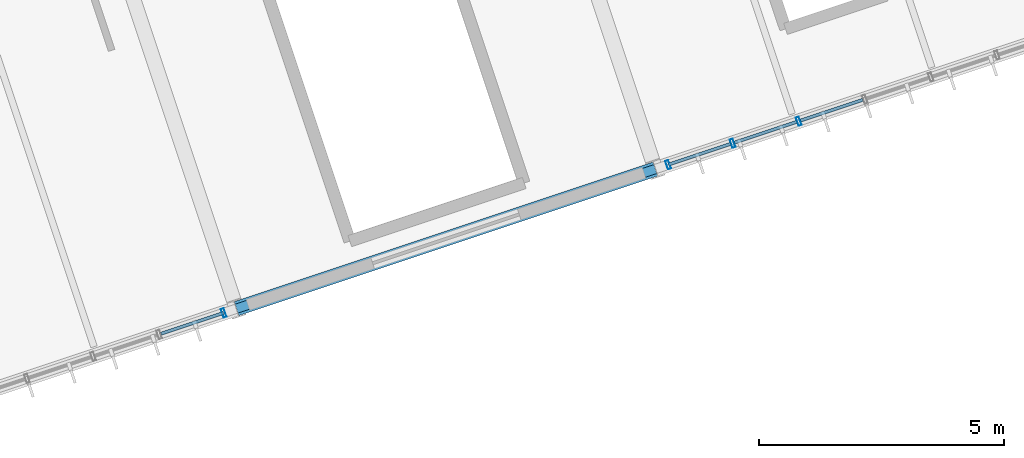
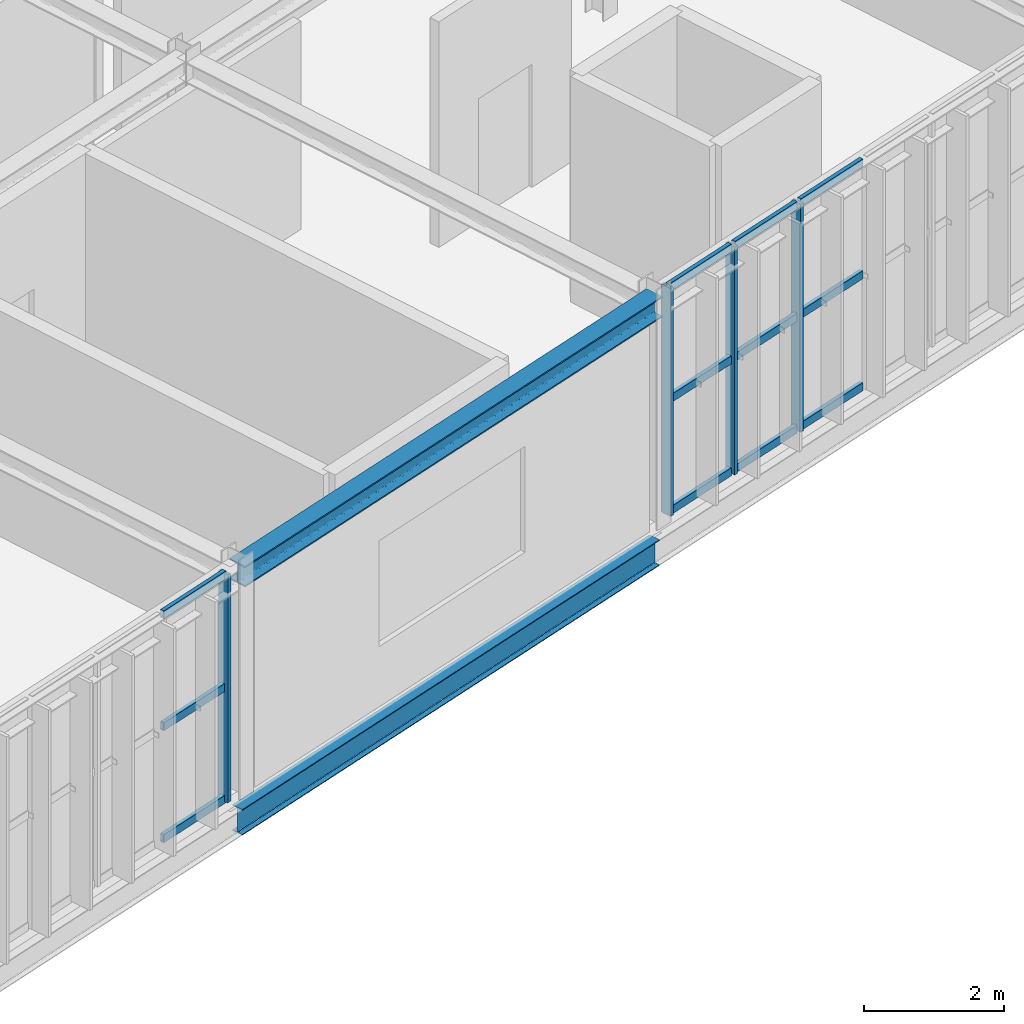
# One storey, part 9 of 61: 16 members, 2 beams, 2 elements without a shape of their own.
"""IFC4 building model written with IfcOpenShell, lengths in metres."""

from ifc_helpers import new_model, si_unit, derived_unit, direction, frame, origin, origin_2d, place, context, subcontext, project, spatial, hollow_rectangle, i_section, extrude, material, material_profile, profile_set, type_object, element, aggregate, save


model = new_model("IFC4")

# Units and contexts
model_context = context("Model", 3, precision=1e-05, world=origin(), true_north=direction((0.0, 1.0)))
body_context = subcontext(model_context, "Body", "Model", "MODEL_VIEW")
ifc_project = project(units=[si_unit("LENGTHUNIT", "METRE"), si_unit("AREAUNIT", "SQUARE_METRE"), si_unit("VOLUMEUNIT", "CUBIC_METRE"), si_unit("PLANEANGLEUNIT", "RADIAN"), si_unit("MASSUNIT", "GRAM", prefix="KILO"), si_unit("THERMODYNAMICTEMPERATUREUNIT", "KELVIN"), si_unit("TIMEUNIT", "SECOND"), derived_unit("THERMALTRANSMITTANCEUNIT", [(si_unit("MASSUNIT", "GRAM", prefix="KILO"), 1), (si_unit("THERMODYNAMICTEMPERATUREUNIT", "KELVIN"), -1), (si_unit("TIMEUNIT", "SECOND"), -3)])], contexts=[model_context])

# Site, building, storey
site_placement = place(None, origin())
site = spatial("IfcSite", under=ifc_project, at=site_placement, CompositionType="ELEMENT")
building_placement = place(site_placement, origin())
building = spatial("IfcBuilding", under=site, at=building_placement, Name="Cambertide Market Hall", CompositionType="ELEMENT")
storey_placement = place(building_placement, frame((0.0, 0.0, 9.89990234375)))
storey = spatial("IfcBuildingStorey", under=building, at=storey_placement, Name="L03", CompositionType="ELEMENT", Elevation=9.89990234375)

# Curtain wall, member
ifc_material_1 = material(Name="Marine Anodized Aluminium 6063-T6 AA25", Category="aluminium")
curtain_wall_type = type_object("IfcCurtainWallType", Name="Tasting Hall Panorama Curtain Wall", PredefinedType="USERDEFINED", material=ifc_material_1)
curtain_wall_1_placement = place(storey_placement, origin())
curtain_wall_1 = element("IfcCurtainWall", 1, at=curtain_wall_1_placement, inside=storey, type_object=curtain_wall_type, Name="Level 3 Curtain Wall CW-V3S-L03-1", ObjectType="UNITIZED CURTAIN WALL", PredefinedType="USERDEFINED")
ifc_material_2 = material(Name="Champagne Marine Anodized Aluminium 6063-T6 AA25", Category="aluminium")
ifc_material_profile_1 = material_profile(ifc_material_2, hollow_rectangle(XDim=0.06494140625, YDim=0.179931640625, WallThickness=0.00390625, at=origin_2d()), Name="ALU MULLION 65x180")
ifc_profile_set_1 = profile_set([ifc_material_profile_1], Name="Champagne Marine Anodized Aluminium 6063-T6 AA25")
member_type_1 = type_object("IfcMemberType", Name="Curtain Wall Mullion ALU MULLION 65x180", PredefinedType="MULLION", material=ifc_profile_set_1)
member_1_placement = place(storey_placement, frame((114.27734375, 14.759033203125, 0.0), z_axis=(0.0, 0.0, 1.0), x_axis=(-0.948683321523, -0.316227695598, 0.0)))
member_1 = element("IfcMember", 2, at=member_1_placement, type_object=member_type_1, Name="CW-V3S-L03-1 Mullion 1", PredefinedType="MULLION", context=body_context, shape_type="SweptSolid", body=[
    extrude(hollow_rectangle(XDim=0.06494140625, YDim=0.179931640625, WallThickness=0.00390625, at=origin_2d()), origin(), (0.0, 0.0, 1.0), 3.97998046875),
])

# Curtain wall, members
curtain_wall_2_placement = place(storey_placement, origin())
curtain_wall_2 = element("IfcCurtainWall", 3, at=curtain_wall_2_placement, inside=storey, type_object=curtain_wall_type, Name="Level 3 Curtain Wall CW-V3S-L03-3", ObjectType="UNITIZED CURTAIN WALL", PredefinedType="USERDEFINED")
member_2_placement = place(storey_placement, frame((125.998291015625, 18.666015625, 0.0), z_axis=(0.0, 0.0, 1.0), x_axis=(-0.948683286311, -0.316227801236, 0.0)))
member_2 = element("IfcMember", 4, at=member_2_placement, type_object=member_type_1, Name="CW-V3S-L03-3 Mullion 5", PredefinedType="MULLION", context=body_context, shape_type="SweptSolid", body=[
    extrude(hollow_rectangle(XDim=0.06494140625, YDim=0.179931640625, WallThickness=0.00390625, at=origin_2d()), origin(), (0.0, 0.0, 1.0), 3.97998046875),
])
member_3_placement = place(storey_placement, frame((124.651123046875, 18.217041015625, 0.0), z_axis=(0.0, 0.0, 1.0), x_axis=(-0.948683286311, -0.316227801236, 0.0)))
member_3 = element("IfcMember", 5, at=member_3_placement, type_object=member_type_1, Name="CW-V3S-L03-3 Mullion 6", PredefinedType="MULLION", context=body_context, shape_type="SweptSolid", body=[
    extrude(hollow_rectangle(XDim=0.06494140625, YDim=0.179931640625, WallThickness=0.00390625, at=origin_2d()), origin(), (0.0, 0.0, 1.0), 3.97998046875),
])
member_4_placement = place(storey_placement, frame((123.337158203125, 17.779052734375, 0.0), z_axis=(0.0, 0.0, 1.0), x_axis=(-0.948683286311, -0.316227801236, 0.0)))
member_4 = element("IfcMember", 6, at=member_4_placement, type_object=member_type_1, Name="CW-V3S-L03-3 Mullion 7", PredefinedType="MULLION", context=body_context, shape_type="SweptSolid", body=[
    extrude(hollow_rectangle(XDim=0.06494140625, YDim=0.179931640625, WallThickness=0.00390625, at=origin_2d()), origin(), (0.0, 0.0, 1.0), 3.97998046875),
])

# Member
ifc_material_3 = material(Name="Champagne Marine Anodized Aluminium 6063-T6 AA25", Category="aluminium")
ifc_material_profile_2 = material_profile(ifc_material_3, hollow_rectangle(XDim=0.06494140625, YDim=0.139892578125, WallThickness=0.00341796875, at=origin_2d()), Name="ALU TRANSOM 65x140")
ifc_profile_set_2 = profile_set([ifc_material_profile_2], Name="Champagne Marine Anodized Aluminium 6063-T6 AA25")
member_type_2 = type_object("IfcMemberType", Name="Curtain Wall Transom ALU TRANSOM 65x140", PredefinedType="USERDEFINED", material=ifc_profile_set_2)
member_5_placement = place(storey_placement, frame((114.2724609375, 14.757568359375, 0.03515625), z_axis=(-0.948665077442, -0.316282422593, 0.0), x_axis=(0.316282422593, -0.948665077442, 0.0)))
member_5 = element("IfcMember", 7, at=member_5_placement, type_object=member_type_2, Name="CW-V3S-L03-1 Transom 1-1", ObjectType="TRANSOM", PredefinedType="USERDEFINED", context=body_context, shape_type="SweptSolid", body=[
    extrude(hollow_rectangle(XDim=0.06494140625, YDim=0.139892578125, WallThickness=0.00341796875, at=origin_2d()), origin(), (0.0, 0.0, 1.0), 1.340087890625),
])

member_6_placement = place(storey_placement, frame((114.2724609375, 14.757568359375, 1.989990234375), z_axis=(-0.948665077442, -0.316282422593, 0.0), x_axis=(0.316282422593, -0.948665077442, 0.0)))
member_6 = element("IfcMember", 8, at=member_6_placement, type_object=member_type_2, Name="CW-V3S-L03-1 Transom 2-1", ObjectType="TRANSOM", PredefinedType="USERDEFINED", context=body_context, shape_type="SweptSolid", body=[
    extrude(hollow_rectangle(XDim=0.06494140625, YDim=0.139892578125, WallThickness=0.00341796875, at=origin_2d()), origin(), (0.0, 0.0, 1.0), 1.340087890625),
])

member_7_placement = place(storey_placement, frame((114.2724609375, 14.757568359375, 3.945068359375), z_axis=(-0.948665077442, -0.316282422593, 0.0), x_axis=(0.316282422593, -0.948665077442, 0.0)))
member_7 = element("IfcMember", 9, at=member_7_placement, type_object=member_type_2, Name="CW-V3S-L03-1 Transom 3-1", ObjectType="TRANSOM", PredefinedType="USERDEFINED", context=body_context, shape_type="SweptSolid", body=[
    extrude(hollow_rectangle(XDim=0.06494140625, YDim=0.139892578125, WallThickness=0.00341796875, at=origin_2d()), origin(), (0.0, 0.0, 1.0), 1.340087890625),
])

aggregate(curtain_wall_1, [member_1, member_5, member_6, member_7])

member_8_placement = place(storey_placement, frame((127.307373046875, 19.1025390625, 0.03515625), z_axis=(-0.948665077442, -0.316282422593, 0.0), x_axis=(0.316282422593, -0.948665077442, 0.0)))
member_8 = element("IfcMember", 10, at=member_8_placement, type_object=member_type_2, Name="CW-V3S-L03-3 Transom 1-4", ObjectType="TRANSOM", PredefinedType="USERDEFINED", context=body_context, shape_type="SweptSolid", body=[
    extrude(hollow_rectangle(XDim=0.06494140625, YDim=0.139892578125, WallThickness=0.00341796875, at=origin_2d()), origin(), (0.0, 0.0, 1.0), 1.340087890625),
])

member_9_placement = place(storey_placement, frame((125.960205078125, 18.6533203125, 0.03515625), z_axis=(-0.948719731918, -0.316118443418, 0.0), x_axis=(0.316118443418, -0.948719731918, 0.0)))
member_9 = element("IfcMember", 11, at=member_9_placement, type_object=member_type_2, Name="CW-V3S-L03-3 Transom 1-5", ObjectType="TRANSOM", PredefinedType="USERDEFINED", context=body_context, shape_type="SweptSolid", body=[
    extrude(hollow_rectangle(XDim=0.06494140625, YDim=0.139892578125, WallThickness=0.00341796875, at=origin_2d()), origin(), (0.0, 0.0, 1.0), 1.33984375),
])

member_10_placement = place(storey_placement, frame((124.61328125, 18.204345703125, 0.03515625), z_axis=(-0.948719731918, -0.316118443418, 0.0), x_axis=(0.316118443418, -0.948719731918, 0.0)))
member_10 = element("IfcMember", 12, at=member_10_placement, type_object=member_type_2, Name="CW-V3S-L03-3 Transom 1-6", ObjectType="TRANSOM", PredefinedType="USERDEFINED", context=body_context, shape_type="SweptSolid", body=[
    extrude(hollow_rectangle(XDim=0.06494140625, YDim=0.139892578125, WallThickness=0.00341796875, at=origin_2d()), origin(), (0.0, 0.0, 1.0), 1.33984375),
])

member_11_placement = place(storey_placement, frame((127.307373046875, 19.1025390625, 1.989990234375), z_axis=(-0.948665077442, -0.316282422593, 0.0), x_axis=(0.316282422593, -0.948665077442, 0.0)))
member_11 = element("IfcMember", 13, at=member_11_placement, type_object=member_type_2, Name="CW-V3S-L03-3 Transom 2-4", ObjectType="TRANSOM", PredefinedType="USERDEFINED", context=body_context, shape_type="SweptSolid", body=[
    extrude(hollow_rectangle(XDim=0.06494140625, YDim=0.139892578125, WallThickness=0.00341796875, at=origin_2d()), origin(), (0.0, 0.0, 1.0), 1.340087890625),
])

member_12_placement = place(storey_placement, frame((125.960205078125, 18.6533203125, 1.989990234375), z_axis=(-0.948719731918, -0.316118443418, 0.0), x_axis=(0.316118443418, -0.948719731918, 0.0)))
member_12 = element("IfcMember", 14, at=member_12_placement, type_object=member_type_2, Name="CW-V3S-L03-3 Transom 2-5", ObjectType="TRANSOM", PredefinedType="USERDEFINED", context=body_context, shape_type="SweptSolid", body=[
    extrude(hollow_rectangle(XDim=0.06494140625, YDim=0.139892578125, WallThickness=0.00341796875, at=origin_2d()), origin(), (0.0, 0.0, 1.0), 1.33984375),
])

member_13_placement = place(storey_placement, frame((124.61328125, 18.204345703125, 1.989990234375), z_axis=(-0.948719731918, -0.316118443418, 0.0), x_axis=(0.316118443418, -0.948719731918, 0.0)))
member_13 = element("IfcMember", 15, at=member_13_placement, type_object=member_type_2, Name="CW-V3S-L03-3 Transom 2-6", ObjectType="TRANSOM", PredefinedType="USERDEFINED", context=body_context, shape_type="SweptSolid", body=[
    extrude(hollow_rectangle(XDim=0.06494140625, YDim=0.139892578125, WallThickness=0.00341796875, at=origin_2d()), origin(), (0.0, 0.0, 1.0), 1.33984375),
])

member_14_placement = place(storey_placement, frame((127.307373046875, 19.1025390625, 3.945068359375), z_axis=(-0.948665077442, -0.316282422593, 0.0), x_axis=(0.316282422593, -0.948665077442, 0.0)))
member_14 = element("IfcMember", 16, at=member_14_placement, type_object=member_type_2, Name="CW-V3S-L03-3 Transom 3-4", ObjectType="TRANSOM", PredefinedType="USERDEFINED", context=body_context, shape_type="SweptSolid", body=[
    extrude(hollow_rectangle(XDim=0.06494140625, YDim=0.139892578125, WallThickness=0.00341796875, at=origin_2d()), origin(), (0.0, 0.0, 1.0), 1.340087890625),
])

member_15_placement = place(storey_placement, frame((125.960205078125, 18.6533203125, 3.945068359375), z_axis=(-0.948719731918, -0.316118443418, 0.0), x_axis=(0.316118443418, -0.948719731918, 0.0)))
member_15 = element("IfcMember", 17, at=member_15_placement, type_object=member_type_2, Name="CW-V3S-L03-3 Transom 3-5", ObjectType="TRANSOM", PredefinedType="USERDEFINED", context=body_context, shape_type="SweptSolid", body=[
    extrude(hollow_rectangle(XDim=0.06494140625, YDim=0.139892578125, WallThickness=0.00341796875, at=origin_2d()), origin(), (0.0, 0.0, 1.0), 1.33984375),
])

member_16_placement = place(storey_placement, frame((124.61328125, 18.204345703125, 3.945068359375), z_axis=(-0.948719731918, -0.316118443418, 0.0), x_axis=(0.316118443418, -0.948719731918, 0.0)))
member_16 = element("IfcMember", 18, at=member_16_placement, type_object=member_type_2, Name="CW-V3S-L03-3 Transom 3-6", ObjectType="TRANSOM", PredefinedType="USERDEFINED", context=body_context, shape_type="SweptSolid", body=[
    extrude(hollow_rectangle(XDim=0.06494140625, YDim=0.139892578125, WallThickness=0.00341796875, at=origin_2d()), origin(), (0.0, 0.0, 1.0), 1.33984375),
])

aggregate(curtain_wall_2, [member_2, member_3, member_4, member_8, member_9, member_10, member_11, member_12, member_13, member_14, member_15, member_16])

# Beams
ifc_material_4 = material(Name="Steel S355", Category="steel")
ifc_material_profile_3 = material_profile(ifc_material_4, i_section(OverallWidth=0.300048828125, OverallDepth=0.360107421875, WebThickness=0.012451171875, FlangeThickness=0.0224609375, FilletRadius=0.027099609375, at=origin_2d()), Name="HEB 360")
ifc_profile_set_3 = profile_set([ifc_material_profile_3], Name="Steel S355")
beam_type_1 = type_object("IfcBeamType", Name="Exterior Steel Girder HEB 360", PredefinedType="BEAM", material=ifc_profile_set_3)
beam_1_placement = place(storey_placement, frame((114.5380859375, 14.845947265625, 3.820068359375), z_axis=(0.948680585407, 0.316235903831, 0.0), x_axis=(-0.316235903831, 0.948680585407, 0.0)))
element("IfcBeam", 19, at=beam_1_placement, inside=storey, type_object=beam_type_1, Name="Level 3 Beam BM-V3U-RF-2-1", PredefinedType="BEAM", context=body_context, shape_type="SweptSolid", body=[
    extrude(i_section(OverallWidth=0.300048828125, OverallDepth=0.360107421875, WebThickness=0.012451171875, FlangeThickness=0.0224609375, FilletRadius=0.027099609375, at=origin_2d()), origin(), (0.0, 0.0, 1.0), 9.000244140625),
])
ifc_material_5 = material(Name="Steel S355", Category="steel")
ifc_material_profile_4 = material_profile(ifc_material_5, i_section(OverallWidth=0.18994140625, OverallDepth=0.449951171875, WebThickness=0.009521484375, FlangeThickness=0.0146484375, FilletRadius=0.02099609375, at=origin_2d()), Name="IPE 450")
ifc_profile_set_4 = profile_set([ifc_material_profile_4], Name="Steel S355")
beam_type_2 = type_object("IfcBeamType", Name="Perimeter Spandrel Beam IPE 450", PredefinedType="SPANDREL", material=ifc_profile_set_4)
beam_2_placement = place(storey_placement, frame((114.5380859375, 14.845947265625, -0.5), z_axis=(0.948680585407, 0.316235903831, 0.0), x_axis=(-0.316235903831, 0.948680585407, 0.0)))
element("IfcBeam", 20, at=beam_2_placement, inside=storey, type_object=beam_type_2, Name="Level 3 Spandrel BM-V3U-L03-2-1", PredefinedType="SPANDREL", context=body_context, shape_type="SweptSolid", body=[
    extrude(i_section(OverallWidth=0.18994140625, OverallDepth=0.449951171875, WebThickness=0.009521484375, FlangeThickness=0.0146484375, FilletRadius=0.02099609375, at=origin_2d()), origin(), (0.0, 0.0, 1.0), 9.000244140625),
])

save(model, "model.ifc")
